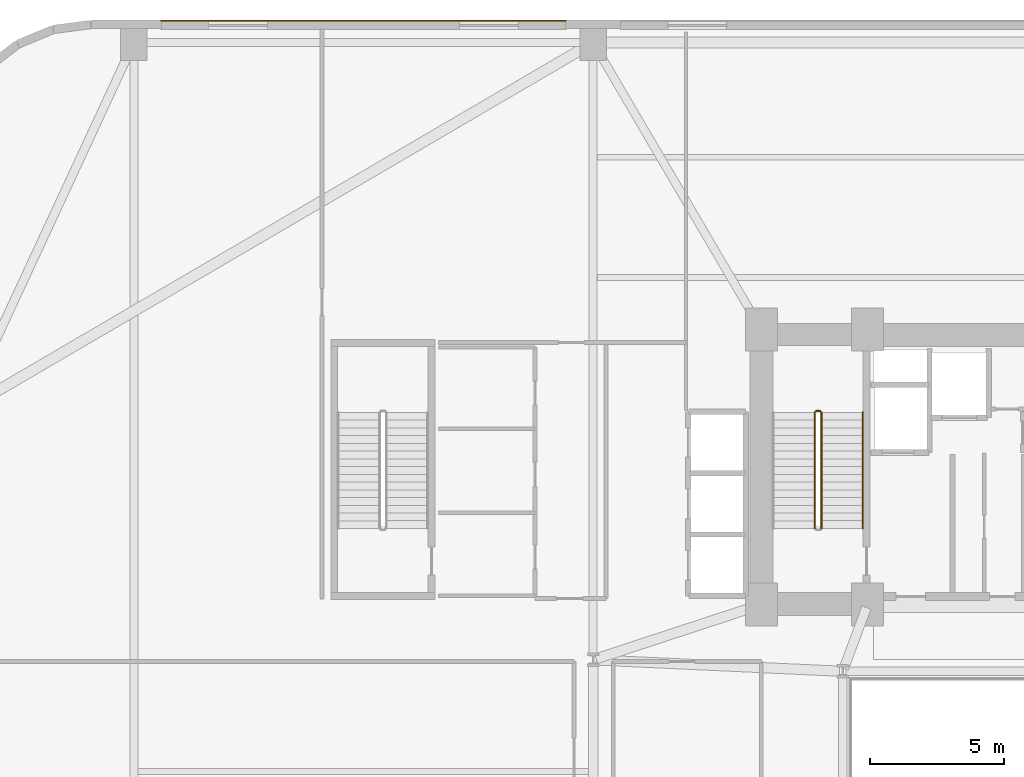
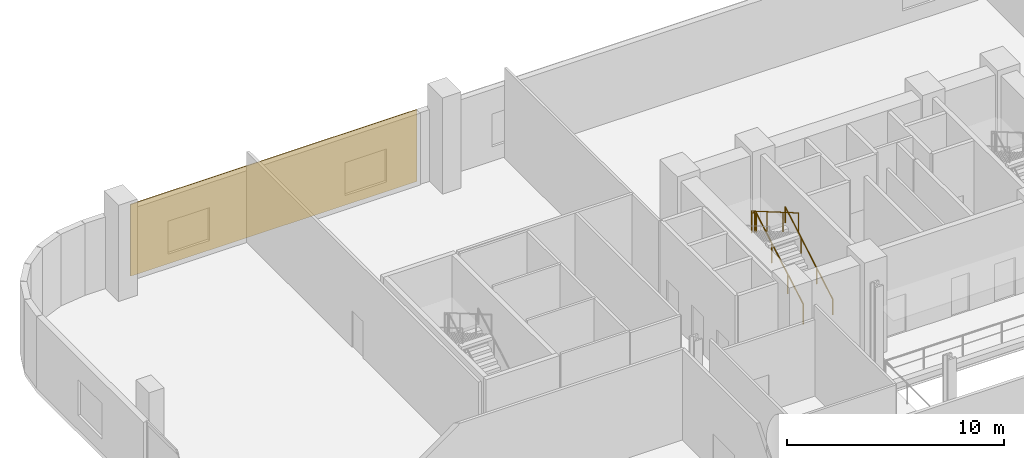
# One storey, part 29 of 31: 4 railings, 1 covering.
"""IFC4 building model written with IfcOpenShell, lengths in metres."""

from ifc_helpers import new_model, si_unit, direction, frame, origin, origin_2d, place, context, subcontext, project, spatial, rectangle, circle, extrude, source, transform, mapped, material, layer, layer_set, type_object, element, save


model = new_model("IFC4")

# Units and contexts
model_context = context("Model", 3, precision=1e-05, world=origin(), true_north=direction((0.0, 1.0)))
body_context = subcontext(model_context, "Body", "Model", "MODEL_VIEW")
ifc_project = project(units=[si_unit("LENGTHUNIT", "METRE"), si_unit("AREAUNIT", "SQUARE_METRE"), si_unit("VOLUMEUNIT", "CUBIC_METRE"), si_unit("PLANEANGLEUNIT", "RADIAN"), si_unit("MASSUNIT", "GRAM", prefix="KILO")], contexts=[model_context])

# Site, building, storey
site_placement = place(None, origin())
site = spatial("IfcSite", under=ifc_project, at=site_placement, CompositionType="ELEMENT")
building_placement = place(site_placement, origin())
building = spatial("IfcBuilding", under=site, at=building_placement, Name="Varnelok Gate Tower", CompositionType="ELEMENT")
storey_placement = place(building_placement, frame((0.0, 0.0, 16.199951171875)))
storey = spatial("IfcBuildingStorey", under=building, at=storey_placement, Name="L03", CompositionType="ELEMENT", Elevation=16.199951171875)

# Railings
ifc_material_1 = material(Name="Brushed Stainless Steel AISI 316", Category="steel")
railing_type_1 = type_object("IfcRailingType", Name="RL-HANDRAIL-900", PredefinedType="HANDRAIL", material=ifc_material_1)
railing_1_placement = place(storey_placement, frame((34.5, 31.60009765625, 0.168701171875)))
element("IfcRailing", 1, at=railing_1_placement, inside=storey, type_object=railing_type_1, Name="L03 ST-1 stair handrail 1", PredefinedType="HANDRAIL", context=body_context, shape_type="SweptSolid", body=[
    extrude(circle(Radius=0.02392578125, at=origin_2d()), frame((0.0, 0.0, 0.8759765625), z_axis=(0.0, 0.864311530196, 0.502956835891), x_axis=(-1.0, 0.0, 0.0)), (0.0, 0.0, 1.0), 5.03271484375),
    extrude(circle(Radius=0.02099609375, at=origin_2d()), origin(), (0.0, 0.0, 1.0), 0.851806640625),
    extrude(circle(Radius=0.02099609375, at=origin_2d()), frame((0.0, 1.449951171875, 0.84375)), (0.0, 0.0, 1.0), 0.851806640625),
    extrude(circle(Radius=0.02099609375, at=origin_2d()), frame((0.0, 2.89990234375, 1.6875)), (0.0, 0.0, 1.0), 0.851806640625),
    extrude(circle(Radius=0.02099609375, at=origin_2d()), frame((0.0, 4.349853515625, 2.53125)), (0.0, 0.0, 1.0), 0.851806640625),
])
ifc_material_2 = material(Name="Galvanized Steel Grade S350GD", Category="steel")
railing_type_2 = type_object("IfcRailingType", Name="RL-STAIR-GUARD1120", PredefinedType="GUARDRAIL", material=ifc_material_2)
railing_2_placement = place(storey_placement, frame((32.949951171875, 31.60009765625, 0.168701171875)))
element("IfcRailing", 2, at=railing_2_placement, inside=storey, type_object=railing_type_2, Name="L03 ST-1 stair guard 1", PredefinedType="GUARDRAIL", context=body_context, shape_type="SweptSolid", body=[
    extrude(circle(Radius=0.02392578125, at=origin_2d()), frame((0.0, 0.0, 1.09619140625), z_axis=(0.0, 0.864311530196, 0.502956835891), x_axis=(-1.0, 0.0, 0.0)), (0.0, 0.0, 1.0), 5.03271484375),
    extrude(circle(Radius=0.02099609375, at=origin_2d()), origin(), (0.0, 0.0, 1.0), 1.072021484375),
    extrude(circle(Radius=0.02099609375, at=origin_2d()), frame((0.0, 1.449951171875, 0.84375)), (0.0, 0.0, 1.0), 1.072021484375),
    extrude(circle(Radius=0.02099609375, at=origin_2d()), frame((0.0, 2.89990234375, 1.6875)), (0.0, 0.0, 1.0), 1.072021484375),
    extrude(circle(Radius=0.02099609375, at=origin_2d()), frame((0.0, 4.349853515625, 2.53125)), (0.0, 0.0, 1.0), 1.072021484375),
])
railing_3_placement = place(storey_placement, frame((32.89990234375, 36.0, 2.699951171875)))
element("IfcRailing", 3, at=railing_3_placement, inside=storey, type_object=railing_type_2, Name="L03 ST-1 stair guard 2", PredefinedType="GUARDRAIL", context=body_context, shape_type="SweptSolid", body=[
    extrude(circle(Radius=0.02392578125, at=origin_2d()), frame((0.0, 0.0, 1.09619140625), z_axis=(-1.0, 0.0, 0.0), x_axis=(0.0, -1.0, 0.0)), (0.0, 0.0, 1.0), 0.14990234375),
    extrude(circle(Radius=0.02099609375, at=origin_2d()), origin(), (0.0, 0.0, 1.0), 1.072021484375),
    extrude(circle(Radius=0.02099609375, at=origin_2d()), frame((-0.14990234375, 0.0, 0.0)), (0.0, 0.0, 1.0), 1.072021484375),
])
railing_4_placement = place(storey_placement, frame((32.699951171875, 35.949951171875, 2.868896484375)))
element("IfcRailing", 4, at=railing_4_placement, inside=storey, type_object=railing_type_2, Name="L03 ST-1 stair guard 3", PredefinedType="GUARDRAIL", context=body_context, shape_type="SweptSolid", body=[
    extrude(circle(Radius=0.02392578125, at=origin_2d()), frame((0.0, 0.0, 1.09619140625), z_axis=(0.0, -0.864311530196, 0.502956835891), x_axis=(1.0, 0.0, 0.0)), (0.0, 0.0, 1.0), 5.03271484375),
    extrude(circle(Radius=0.02099609375, at=origin_2d()), origin(), (0.0, 0.0, 1.0), 1.072021484375),
    extrude(circle(Radius=0.02099609375, at=origin_2d()), frame((0.0, -1.449951171875, 0.84375)), (0.0, 0.0, 1.0), 1.072021484375),
    extrude(circle(Radius=0.02099609375, at=origin_2d()), frame((0.0, -2.89990234375, 1.6875)), (0.0, 0.0, 1.0), 1.072021484375),
    extrude(circle(Radius=0.02099609375, at=origin_2d()), frame((0.0, -4.349853515625, 2.53125)), (0.0, 0.0, 1.0), 1.072021484375),
])

# Covering
ifc_material_3 = material(Name="Glazed Architectural Terracotta Ceramic", Category="masonry")
ifc_layer = layer(ifc_material_3, 0.044921875)
ifc_layer_set = layer_set([ifc_layer], Name="Glazed Architectural Terracotta Ceramic")
covering_type = type_object("IfcCoveringType", Name="COV-TERRA-CLAD", PredefinedType="CLADDING", material=ifc_layer_set)
shared_shape = source(origin(), body_context, "Body", "SweptSolid", [
    extrude(rectangle(XDim=15.199951171875, YDim=0.044921875, at=origin_2d()), origin(), (0.0, 0.0, 1.0), 4.030029296875),
])
covering_placement = place(storey_placement, frame((15.800048828125, 50.6220703125, 0.0), z_axis=(0.0, 0.0, 1.0), x_axis=(1.0, 0.0, 0.0)))
element("IfcCovering", 5, at=covering_placement, inside=storey, type_object=covering_type, Name="L03 Terracotta Podium Rainscreen Cladding N1", PredefinedType="CLADDING", context=body_context, shape_type="MappedRepresentation", body=[
    mapped(shared_shape, transform((0.0, 0.0, 0.0), scale=1.0)),
])

save(model, "model.ifc")
